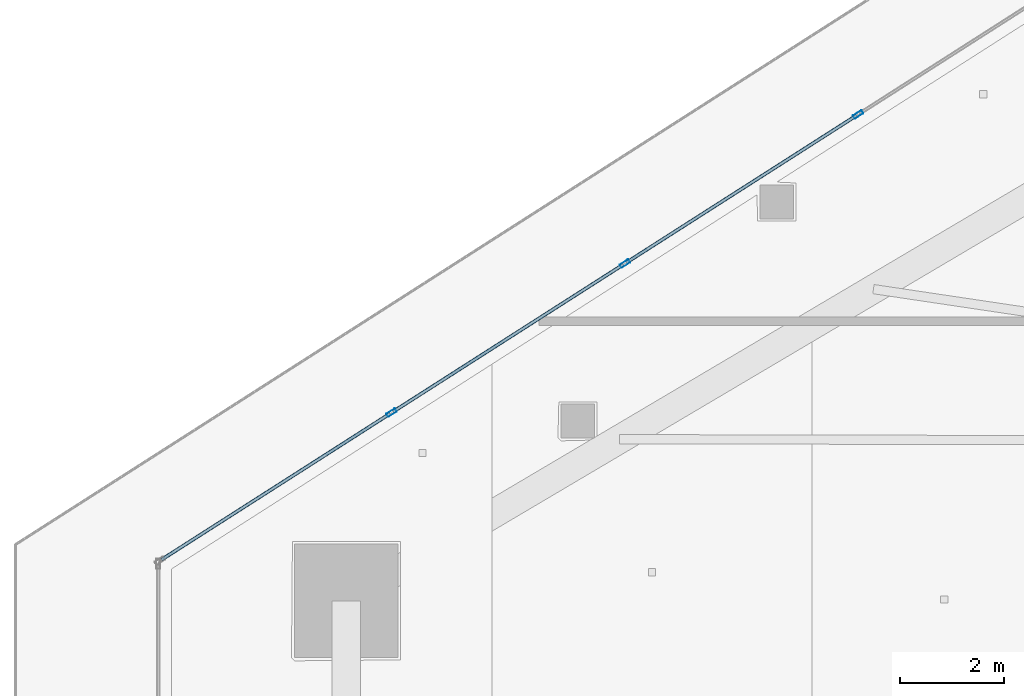
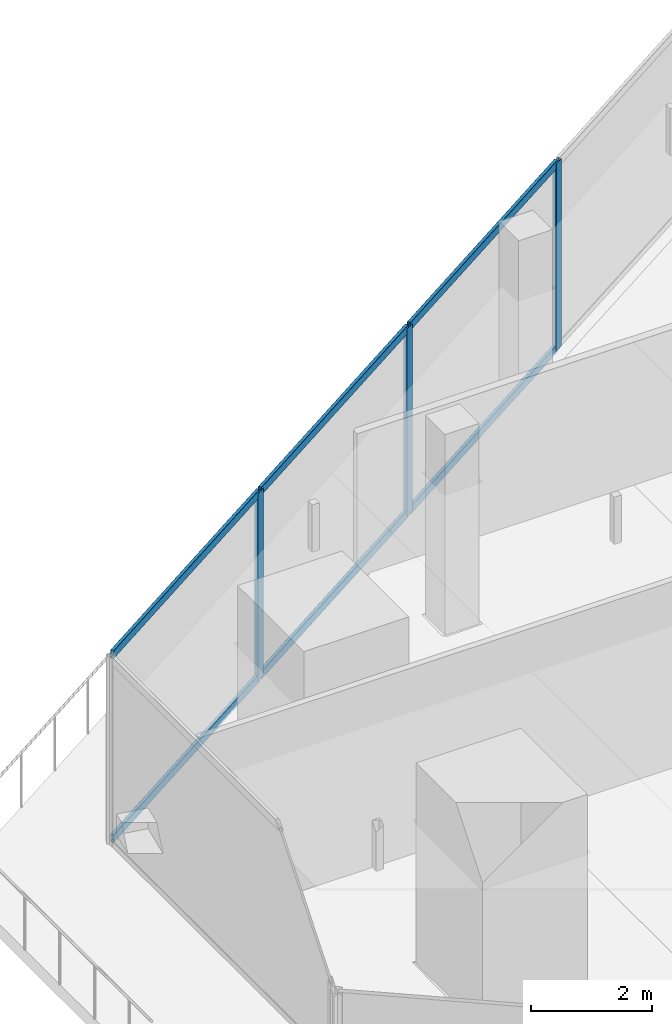
# One storey, part 14 of 39: 9 members, 1 element without a shape of its own.
"""IFC4 building model written with IfcOpenShell, lengths in metres."""

import ifcopenshell
import ifcopenshell.guid

model = None  # the IFC model being written
_history = None  # IfcOwnerHistory: only IFC2X3 demands one
_inside = {}  # id of a spatial element -> (the spatial element, [elements in it])
_under = {}  # id of a project, library or spatial element -> (it, [spatial elements below it])
_declared = {}  # id of a project -> (the project, [libraries it declares])
_typed = {}  # id of a type object -> (the type object, [elements of that type])
_made_of = {}  # id of a material, layer set ... -> (it, [elements and type objects made of it])


def new_model(schema):
    """Start an empty IFC model of exactly this schema.

    Asked for "IFC4X3", IfcOpenShell would pick the latest addendum, in which some entities
    have other attributes; the version numbers below select the first issue.
    IFC2X3 requires an IfcOwnerHistory on every rooted entity: one is made here for all.
    """
    global model, _history
    if schema == "IFC4X3":
        model = ifcopenshell.file(schema_version=(4, 3, 0, 0))
    else:
        model = ifcopenshell.file(schema=schema)
    _inside.clear()
    _under.clear()
    _declared.clear()
    _typed.clear()
    _made_of.clear()
    _history = None
    if model.schema == "IFC2X3":
        org = make("IfcOrganization", Name="unknown")
        user = make(
            "IfcPersonAndOrganization",
            ThePerson=make("IfcPerson", FamilyName="unknown"),
            TheOrganization=org,
        )
        app = make(
            "IfcApplication",
            ApplicationDeveloper=org,
            Version="unknown",
            ApplicationFullName="unknown",
            ApplicationIdentifier="unknown",
        )
        _history = make(
            "IfcOwnerHistory",
            OwningUser=user,
            OwningApplication=app,
            ChangeAction="ADDED",
            CreationDate=0,
        )
    return model


def make(cls, **values):
    """One entity of the class cls with the attributes given. An attribute that is None is left unset."""
    return model.create_entity(
        cls, **{name: value for name, value in values.items() if value is not None}
    )


def rooted(cls, **values):
    """An entity with a GlobalId (a new one), such as an element, a storey or a relation."""
    return make(cls, GlobalId=ifcopenshell.guid.new(), OwnerHistory=_history, **values)


def si_unit(unit_type, name, prefix=None):
    """IfcSIUnit, for example si_unit("LENGTHUNIT", "METRE", prefix="MILLI")."""
    return make("IfcSIUnit", UnitType=unit_type, Prefix=prefix, Name=name)


def assignment(units):
    """IfcUnitAssignment: the units of a project."""
    return None if units is None else make("IfcUnitAssignment", Units=units)


def point(xyz):
    """IfcCartesianPoint."""
    return None if xyz is None else make("IfcCartesianPoint", Coordinates=xyz)


def direction(xyz):
    """IfcDirection."""
    return None if xyz is None else make("IfcDirection", DirectionRatios=xyz)


def frame(location, z_axis=None, x_axis=None):
    """IfcAxis2Placement3D, a coordinate frame: its origin and axes. An axis left out is left unset."""
    return make(
        "IfcAxis2Placement3D",
        Location=point(location),
        Axis=direction(z_axis),
        RefDirection=direction(x_axis),
    )


def frame_2d(location, x_axis=None):
    """IfcAxis2Placement2D, a coordinate frame in the plane: its origin and x axis."""
    return make(
        "IfcAxis2Placement2D", Location=point(location), RefDirection=direction(x_axis)
    )


def origin():
    """The frame at (0, 0, 0) with its axes left unset."""
    return frame((0.0, 0.0, 0.0))


def origin_2d():
    """The frame at (0, 0) in the plane with its x axis left unset."""
    return frame_2d((0.0, 0.0))


def place(relative_to, where):
    """IfcLocalPlacement: puts the frame where relative to a parent placement (None: the world)."""
    return make(
        "IfcLocalPlacement", PlacementRelTo=relative_to, RelativePlacement=where
    )


def context(
    kind, dimensions, precision=None, world=None, true_north=None, identifier=None
):
    """IfcGeometricRepresentationContext, for example the 3D "Model" context."""
    return make(
        "IfcGeometricRepresentationContext",
        ContextIdentifier=identifier,
        ContextType=kind,
        CoordinateSpaceDimension=dimensions,
        Precision=precision,
        WorldCoordinateSystem=world,
        TrueNorth=true_north,
    )


def subcontext(parent, identifier, kind, view, scale=None):
    """IfcGeometricRepresentationSubContext, for example "Body" below "Model"."""
    return make(
        "IfcGeometricRepresentationSubContext",
        ContextIdentifier=identifier,
        ContextType=kind,
        ParentContext=parent,
        TargetScale=scale,
        TargetView=view,
    )


def project(units=None, contexts=None):
    """IfcProject with its units and contexts."""
    return rooted(
        "IfcProject",
        Name="project",
        RepresentationContexts=contexts,
        UnitsInContext=assignment(units),
    )


def spatial(cls, under=None, at=None, **own):
    """A site, building, storey or space (cls), placed at a placement, below another one or the project."""
    s = rooted(cls, ObjectPlacement=at, **own)
    if under is not None:
        _under.setdefault(under.id(), (under, []))[1].append(s)
    return s


def profile(cls, at=None, kind="AREA", **sizes):
    """A parametric profile (cls). Its sizes go by their IFC names, for example OverallWidth=200.0."""
    return make(cls, ProfileType=kind, Position=at, **sizes)


def hollow_rectangle(**sizes):
    """IfcRectangleHollowProfileDef."""
    return profile("IfcRectangleHollowProfileDef", **sizes)


def extrude(swept, where, along, depth):
    """IfcExtrudedAreaSolid: the profile swept, set in the frame where, extruded along a direction by depth."""
    return make(
        "IfcExtrudedAreaSolid",
        SweptArea=swept,
        Position=where,
        ExtrudedDirection=direction(along),
        Depth=depth,
    )


def shape(context_of_items, identifier, shape_type, items):
    """IfcShapeRepresentation: the items that make up one representation, for example the "Body"."""
    return make(
        "IfcShapeRepresentation",
        ContextOfItems=context_of_items,
        RepresentationIdentifier=identifier,
        RepresentationType=shape_type,
        Items=items,
    )


def material(Name=None, Category=None):
    """IfcMaterial."""
    return make("IfcMaterial", Name=Name, Category=Category)


def layer(
    of_material, thickness, ventilated=None, Name=None, Category=None, Priority=None
):
    """IfcMaterialLayer: one layer of a wall or slab, of a material (None: an air gap)."""
    return make(
        "IfcMaterialLayer",
        Material=of_material,
        LayerThickness=thickness,
        IsVentilated=ventilated,
        Name=Name,
        Category=Category,
        Priority=Priority,
    )


def layer_set(layers, Name=None):
    """IfcMaterialLayerSet."""
    return make("IfcMaterialLayerSet", MaterialLayers=layers, LayerSetName=Name)


def material_profile(
    of_material, cross_section, Name=None, Category=None, Priority=None
):
    """IfcMaterialProfile: a cross section and its material."""
    return make(
        "IfcMaterialProfile",
        Name=Name,
        Material=of_material,
        Profile=cross_section,
        Priority=Priority,
        Category=Category,
    )


def profile_set(profiles, Name=None, composite=None):
    """IfcMaterialProfileSet."""
    return make(
        "IfcMaterialProfileSet",
        Name=Name,
        MaterialProfiles=profiles,
        CompositeProfile=composite,
    )


def made_of(thing, what):
    """Note that an element or type object is made of a material, layer set ...; save() writes the relation."""
    if what is not None:
        _made_of.setdefault(what.id(), (what, []))[1].append(thing)
    return thing


def type_object(cls, material=None, **own):
    """A type object (cls), such as IfcWallType, which elements share."""
    return made_of(rooted(cls, **own), material)


def element(
    cls,
    number,
    at=None,
    inside=None,
    cuts=None,
    type_object=None,
    material=None,
    context=None,
    identifier="Body",
    shape_type=None,
    held_by="IfcProductDefinitionShape",
    body=None,
    shapes=None,
    **own,
):
    """One element of the class cls, such as IfcWall. Its Tag is "e" and its number.

    at: its placement. inside: the storey or other place that contains it. cuts: it is an
    opening in that element (IfcRelVoidsElement). A single representation is given by context,
    identifier, shape_type and body (its items); several are given by shapes. held_by: the class
    of the entity that holds the representations. save() writes the other relations.
    """
    e = rooted(cls, Tag="e%d" % number, ObjectPlacement=at, **own)
    if body is not None:
        shapes = [shape(context, identifier, shape_type, body)]
    if shapes is not None:
        e.Representation = make(held_by, Representations=shapes)
    if inside is not None:
        _inside.setdefault(inside.id(), (inside, []))[1].append(e)
    if cuts is not None:
        rooted(
            "IfcRelVoidsElement", RelatingBuildingElement=cuts, RelatedOpeningElement=e
        )
    if type_object is not None:
        _typed.setdefault(type_object.id(), (type_object, []))[1].append(e)
    return made_of(e, material)


def aggregate(whole, parts):
    """IfcRelAggregates: a whole, such as a stair, and the parts it consists of."""
    return rooted("IfcRelAggregates", RelatingObject=whole, RelatedObjects=parts)


def save(model, path):
    """Write the relations noted so far, then the file.

    IfcRelAggregates (storeys below a building ...), IfcRelContainedInSpatialStructure (elements
    in a storey), IfcRelDefinesByType, IfcRelAssociatesMaterial and IfcRelDeclares: one each for
    every whole, place, type object, material and project.
    """
    for whole, parts in _under.values():
        aggregate(whole, parts)
    for where, things in _inside.values():
        rooted(
            "IfcRelContainedInSpatialStructure",
            RelatedElements=things,
            RelatingStructure=where,
        )
    for kind, things in _typed.values():
        rooted("IfcRelDefinesByType", RelatedObjects=things, RelatingType=kind)
    for what, things in _made_of.values():
        rooted("IfcRelAssociatesMaterial", RelatedObjects=things, RelatingMaterial=what)
    for by, libraries in _declared.values():
        rooted("IfcRelDeclares", RelatingContext=by, RelatedDefinitions=libraries)
    model.write(path)


model = new_model("IFC4")

# Units and contexts
model_context = context("Model", 3, precision=1e-05, world=origin(), true_north=direction((0.0, 1.0)))
body_context = subcontext(model_context, "Body", "Model", "MODEL_VIEW")
ifc_project = project(units=[si_unit("LENGTHUNIT", "METRE"), si_unit("AREAUNIT", "SQUARE_METRE"), si_unit("VOLUMEUNIT", "CUBIC_METRE"), si_unit("PLANEANGLEUNIT", "RADIAN"), si_unit("MASSUNIT", "GRAM", prefix="KILO")], contexts=[model_context])

# Site, building, storey
site_placement = place(None, origin())
site = spatial("IfcSite", under=ifc_project, at=site_placement, CompositionType="ELEMENT")
building_placement = place(site_placement, origin())
building = spatial("IfcBuilding", under=site, at=building_placement, Name="Qorvath Tower", CompositionType="ELEMENT")
storey_placement = place(building_placement, frame((0.0, 0.0, 154.35009765625)))
storey = spatial("IfcBuildingStorey", under=building, at=storey_placement, Name="L35", CompositionType="ELEMENT", Elevation=154.35009765625)

# Curtain wall, members
ifc_material_1 = material(Name="Anodised aluminium and triple low-E glass", Category="aluminium")
ifc_layer = layer(ifc_material_1, 0.179931640625)
ifc_layer_set = layer_set([ifc_layer], Name="CW-SYS-5")
curtain_wall_type = type_object("IfcCurtainWallType", Name="CW-SYS-5", PredefinedType="NOTDEFINED", material=ifc_layer_set)
curtain_wall_placement = place(storey_placement, origin())
curtain_wall = element("IfcCurtainWall", 1, at=curtain_wall_placement, inside=storey, type_object=curtain_wall_type, Name="Curtain Wall CW-5 CW-T-L35-16.1", PredefinedType="NOTDEFINED")
ifc_material_2 = material(Name="Anodised aluminium 6063-T6", Category="aluminium")
ifc_material_profile_1 = material_profile(ifc_material_2, hollow_rectangle(XDim=0.074951171875, YDim=0.199951171875, WallThickness=0.00390625, InnerFilletRadius=0.00390625, OuterFilletRadius=0.008056640625, at=origin_2d()), Name="CWM 200x75")
ifc_profile_set_1 = profile_set([ifc_material_profile_1], Name="Anodised aluminium 6063-T6")
member_type_1 = type_object("IfcMemberType", Name="CWM-200", PredefinedType="MULLION", material=ifc_profile_set_1)
member_1_placement = place(storey_placement, frame((-43.1640625, 12.343994140625, 0.0), z_axis=(0.0, 0.0, 1.0), x_axis=(0.538535404822, -0.842602882592, 0.0)))
member_1 = element("IfcMember", 2, at=member_1_placement, type_object=member_type_1, Name="CW-5 mullion 7", PredefinedType="MULLION", context=body_context, shape_type="SweptSolid", body=[
    extrude(hollow_rectangle(XDim=0.074951171875, YDim=0.199951171875, WallThickness=0.00390625, InnerFilletRadius=0.00390625, OuterFilletRadius=0.008056640625, at=origin_2d()), origin(), (0.0, 0.0, 1.0), 3.77978515625),
])
member_2_placement = place(storey_placement, frame((-47.670654296875, 9.463623046875, 0.0), z_axis=(0.0, 0.0, 1.0), x_axis=(0.538535404822, -0.842602882592, 0.0)))
member_2 = element("IfcMember", 3, at=member_2_placement, type_object=member_type_1, Name="CW-5 mullion 8", PredefinedType="MULLION", context=body_context, shape_type="SweptSolid", body=[
    extrude(hollow_rectangle(XDim=0.074951171875, YDim=0.199951171875, WallThickness=0.00390625, InnerFilletRadius=0.00390625, OuterFilletRadius=0.008056640625, at=origin_2d()), origin(), (0.0, 0.0, 1.0), 3.77978515625),
])
member_3_placement = place(storey_placement, frame((-52.17724609375, 6.58349609375, 0.0), z_axis=(0.0, 0.0, 1.0), x_axis=(0.538535404822, -0.842602882592, 0.0)))
member_3 = element("IfcMember", 4, at=member_3_placement, type_object=member_type_1, Name="CW-5 mullion 9", PredefinedType="MULLION", context=body_context, shape_type="SweptSolid", body=[
    extrude(hollow_rectangle(XDim=0.074951171875, YDim=0.199951171875, WallThickness=0.00390625, InnerFilletRadius=0.00390625, OuterFilletRadius=0.008056640625, at=origin_2d()), origin(), (0.0, 0.0, 1.0), 3.77978515625),
])
ifc_material_3 = material(Name="Anodised aluminium 6063-T6", Category="aluminium")
ifc_material_profile_2 = material_profile(ifc_material_3, hollow_rectangle(XDim=0.06494140625, YDim=0.159912109375, WallThickness=0.00341796875, InnerFilletRadius=0.00341796875, OuterFilletRadius=0.007080078125, at=origin_2d()), Name="CWT 160x65")
ifc_profile_set_2 = profile_set([ifc_material_profile_2], Name="Anodised aluminium 6063-T6")
member_type_2 = type_object("IfcMemberType", Name="CWT-160", PredefinedType="USERDEFINED", material=ifc_profile_set_2)
member_4_placement = place(storey_placement, frame((-43.19580078125, 12.32373046875, 0.032470703125), z_axis=(-0.842607560857, -0.538528085049, 0.0), x_axis=(0.538528085049, -0.842607560857, 0.0)))
member_4 = element("IfcMember", 5, at=member_4_placement, type_object=member_type_2, Name="CW-5 transom 7.1", ObjectType="TRANSOM", PredefinedType="USERDEFINED", context=body_context, shape_type="SweptSolid", body=[
    extrude(hollow_rectangle(XDim=0.06494140625, YDim=0.159912109375, WallThickness=0.00341796875, InnerFilletRadius=0.00341796875, OuterFilletRadius=0.007080078125, at=origin_2d()), origin(), (0.0, 0.0, 1.0), 5.2734375),
])
member_5_placement = place(storey_placement, frame((-43.19580078125, 12.32373046875, 3.747314453125), z_axis=(-0.842607560857, -0.538528085049, 0.0), x_axis=(0.538528085049, -0.842607560857, 0.0)))
member_5 = element("IfcMember", 6, at=member_5_placement, type_object=member_type_2, Name="CW-5 transom 7.2", ObjectType="TRANSOM", PredefinedType="USERDEFINED", context=body_context, shape_type="SweptSolid", body=[
    extrude(hollow_rectangle(XDim=0.06494140625, YDim=0.159912109375, WallThickness=0.00341796875, InnerFilletRadius=0.00341796875, OuterFilletRadius=0.007080078125, at=origin_2d()), origin(), (0.0, 0.0, 1.0), 5.2734375),
])
member_6_placement = place(storey_placement, frame((-47.702392578125, 9.443603515625, 0.032470703125), z_axis=(-0.842586552596, -0.538560954195, 0.0), x_axis=(0.538560954195, -0.842586552596, 0.0)))
member_6 = element("IfcMember", 7, at=member_6_placement, type_object=member_type_2, Name="CW-5 transom 8.1", ObjectType="TRANSOM", PredefinedType="USERDEFINED", context=body_context, shape_type="SweptSolid", body=[
    extrude(hollow_rectangle(XDim=0.06494140625, YDim=0.159912109375, WallThickness=0.00341796875, InnerFilletRadius=0.00341796875, OuterFilletRadius=0.007080078125, at=origin_2d()), origin(), (0.0, 0.0, 1.0), 5.2734375),
])
member_7_placement = place(storey_placement, frame((-47.702392578125, 9.443603515625, 3.747314453125), z_axis=(-0.842586552596, -0.538560954195, 0.0), x_axis=(0.538560954195, -0.842586552596, 0.0)))
member_7 = element("IfcMember", 8, at=member_7_placement, type_object=member_type_2, Name="CW-5 transom 8.2", ObjectType="TRANSOM", PredefinedType="USERDEFINED", context=body_context, shape_type="SweptSolid", body=[
    extrude(hollow_rectangle(XDim=0.06494140625, YDim=0.159912109375, WallThickness=0.00341796875, InnerFilletRadius=0.00341796875, OuterFilletRadius=0.007080078125, at=origin_2d()), origin(), (0.0, 0.0, 1.0), 5.2734375),
])
member_8_placement = place(storey_placement, frame((-52.208740234375, 6.563232421875, 0.032470703125), z_axis=(-0.842598111761, -0.538542869284, 0.0), x_axis=(0.538542869284, -0.842598111761, 0.0)))
member_8 = element("IfcMember", 9, at=member_8_placement, type_object=member_type_2, Name="CW-5 transom 9.1", ObjectType="TRANSOM", PredefinedType="USERDEFINED", context=body_context, shape_type="SweptSolid", body=[
    extrude(hollow_rectangle(XDim=0.06494140625, YDim=0.159912109375, WallThickness=0.00341796875, InnerFilletRadius=0.00341796875, OuterFilletRadius=0.007080078125, at=origin_2d()), origin(), (0.0, 0.0, 1.0), 5.236083984375),
])
member_9_placement = place(storey_placement, frame((-52.208740234375, 6.563232421875, 3.747314453125), z_axis=(-0.842598111761, -0.538542869284, 0.0), x_axis=(0.538542869284, -0.842598111761, 0.0)))
member_9 = element("IfcMember", 10, at=member_9_placement, type_object=member_type_2, Name="CW-5 transom 9.2", ObjectType="TRANSOM", PredefinedType="USERDEFINED", context=body_context, shape_type="SweptSolid", body=[
    extrude(hollow_rectangle(XDim=0.06494140625, YDim=0.159912109375, WallThickness=0.00341796875, InnerFilletRadius=0.00341796875, OuterFilletRadius=0.007080078125, at=origin_2d()), origin(), (0.0, 0.0, 1.0), 5.236083984375),
])
aggregate(curtain_wall, [member_1, member_2, member_3, member_4, member_5, member_6, member_7, member_8, member_9])

save(model, "model.ifc")
